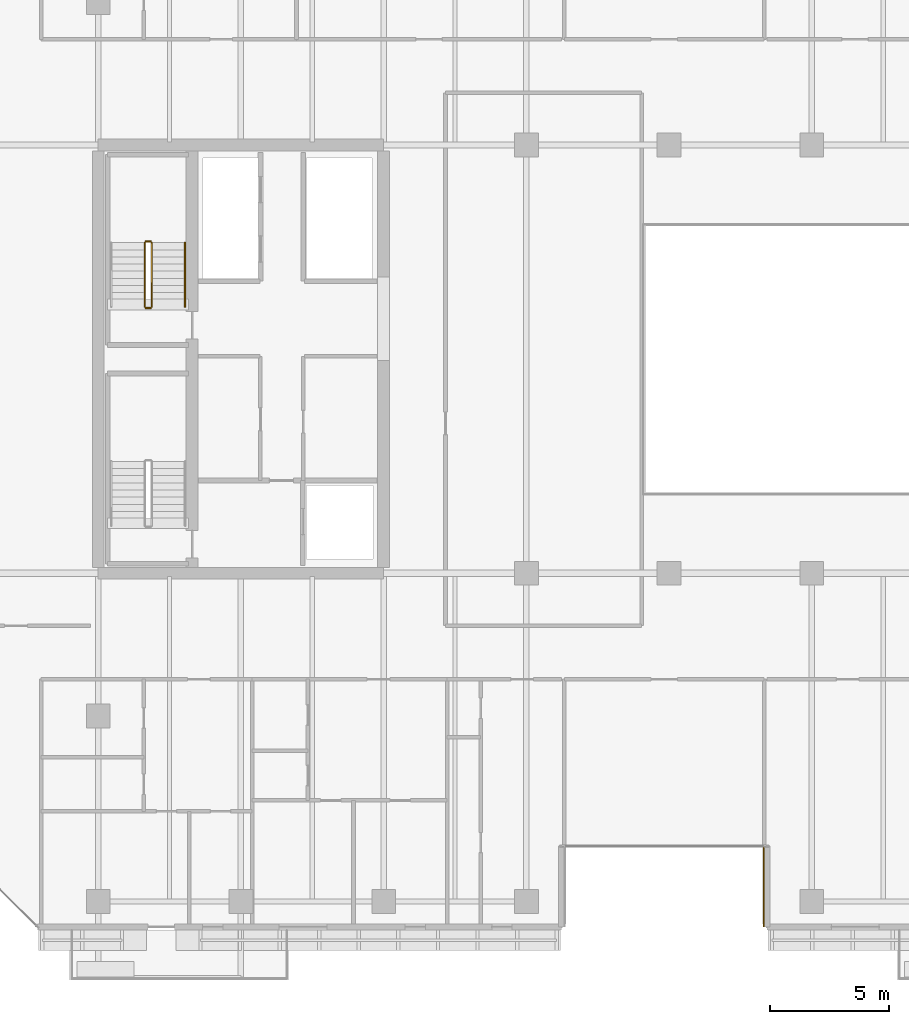
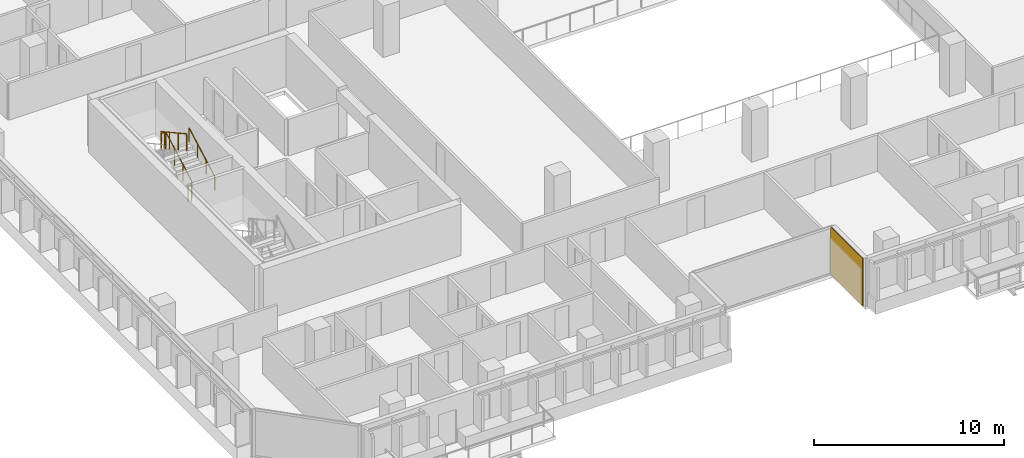
# One storey, part 32 of 35: 5 railings, 1 covering.
"""IFC4 building model written with IfcOpenShell, lengths in metres."""

from ifc_helpers import new_model, si_unit, direction, frame, origin, origin_2d, place, context, subcontext, project, spatial, rectangle, extrude, material, layer, layer_set, type_object, element, save


model = new_model("IFC4")

# Units and contexts
model_context = context("Model", 3, precision=1e-05, world=origin(), true_north=direction((0.0, 1.0)))
body_context = subcontext(model_context, "Body", "Model", "MODEL_VIEW")
ifc_project = project(units=[si_unit("LENGTHUNIT", "METRE"), si_unit("AREAUNIT", "SQUARE_METRE"), si_unit("VOLUMEUNIT", "CUBIC_METRE"), si_unit("PLANEANGLEUNIT", "RADIAN"), si_unit("MASSUNIT", "GRAM", prefix="KILO")], contexts=[model_context])

# Site, building, storey
site_placement = place(None, origin())
site = spatial("IfcSite", under=ifc_project, at=site_placement, CompositionType="ELEMENT")
building_placement = place(site_placement, origin())
building = spatial("IfcBuilding", under=site, at=building_placement, Name="Tanjung Sevakor Pilgrim Tower", CompositionType="ELEMENT")
storey_placement = place(building_placement, frame((0.0, 0.0, 92.070068359375)))
storey = spatial("IfcBuildingStorey", under=building, at=storey_placement, Name="L25", CompositionType="ELEMENT", Elevation=92.070068359375)

# Covering
ifc_material_1 = material(Name="Reconstructed Limestone Cladding", Category="masonry")
ifc_layer = layer(ifc_material_1, 0.044921875)
ifc_layer_set = layer_set([ifc_layer], Name="COV-CLAD-LIMESTONE")
covering_type = type_object("IfcCoveringType", Name="COV-CLAD-LIMESTONE", PredefinedType="CLADDING", material=ifc_layer_set)
covering_placement = place(storey_placement, frame((51.9775390625, 11.425048828125, 0.02001953125), z_axis=(0.0, 0.0, 1.0), x_axis=(0.0, -1.0, 0.0)))
element("IfcCovering", 1, at=covering_placement, inside=storey, type_object=covering_type, Name="L25 Warm Limestone Wall Cladding EW-L25-MAIN-4", PredefinedType="CLADDING", context=body_context, shape_type="SweptSolid", body=[
    extrude(rectangle(XDim=3.360107421875, YDim=0.044921875, at=origin_2d()), origin(), (0.0, 0.0, 1.0), 3.0400390625),
])

# Railings
ifc_material_2 = material(Name="Steel S355J2", Category="steel")
railing_type_1 = type_object("IfcRailingType", Name="RL-STAIR-GUARD", PredefinedType="GUARDRAIL", material=ifc_material_2)
railing_1_placement = place(storey_placement, frame((26.25, 35.800048828125, 0.1650390625)))
element("IfcRailing", 2, at=railing_1_placement, inside=storey, type_object=railing_type_1, Name="L25 TS-W2 stair guard 1", PredefinedType="GUARDRAIL", context=body_context, shape_type="SweptSolid", body=[
    extrude(rectangle(XDim=0.0479, YDim=0.0479), frame((0.0, 0.0, 1.076171875), z_axis=(0.0, 0.876230963923, 0.481891375584), x_axis=(-1.0, 0.0, 0.0)), (0.0, 0.0, 1.0), 3.081298828125),
    extrude(rectangle(XDim=0.042, YDim=0.042), origin(), (0.0, 0.0, 1.0), 1.052001953125),
    extrude(rectangle(XDim=0.042, YDim=0.042), frame((0.0, 0.89990234375, 0.494873046875)), (0.0, 0.0, 1.0), 1.052001953125),
    extrude(rectangle(XDim=0.042, YDim=0.042), frame((0.0, 1.800048828125, 0.989990234375)), (0.0, 0.0, 1.0), 1.052001953125),
    extrude(rectangle(XDim=0.042, YDim=0.042), frame((0.0, 2.699951171875, 1.48486328125)), (0.0, 0.0, 1.0), 1.052001953125),
])
railing_2_placement = place(storey_placement, frame((26.199951171875, 38.550048828125, 1.64990234375)))
element("IfcRailing", 3, at=railing_2_placement, inside=storey, type_object=railing_type_1, Name="L25 TS-W2 stair guard 2", PredefinedType="GUARDRAIL", context=body_context, shape_type="SweptSolid", body=[
    extrude(rectangle(XDim=0.0479, YDim=0.0479), frame((0.0, 0.0, 1.076171875), z_axis=(-1.0, 0.0, 0.0), x_axis=(0.0, -1.0, 0.0)), (0.0, 0.0, 1.0), 0.199951171875),
    extrude(rectangle(XDim=0.042, YDim=0.042), origin(), (0.0, 0.0, 1.0), 1.052001953125),
    extrude(rectangle(XDim=0.042, YDim=0.042), frame((-0.199951171875, 0.0, 0.0)), (0.0, 0.0, 1.0), 1.052001953125),
])
railing_3_placement = place(storey_placement, frame((25.949951171875, 38.5, 1.81494140625)))
element("IfcRailing", 4, at=railing_3_placement, inside=storey, type_object=railing_type_1, Name="L25 TS-W2 stair guard 3", PredefinedType="GUARDRAIL", context=body_context, shape_type="SweptSolid", body=[
    extrude(rectangle(XDim=0.0479, YDim=0.0479), frame((0.0, 0.0, 1.076171875), z_axis=(0.0, -0.876197507361, 0.481952205197), x_axis=(1.0, 0.0, 0.0)), (0.0, 0.0, 1.0), 3.08154296875),
    extrude(rectangle(XDim=0.042, YDim=0.042), origin(), (0.0, 0.0, 1.0), 1.052001953125),
    extrude(rectangle(XDim=0.042, YDim=0.042), frame((0.0, -0.89990234375, 0.4951171875)), (0.0, 0.0, 1.0), 1.052001953125),
    extrude(rectangle(XDim=0.042, YDim=0.042), frame((0.0, -1.800048828125, 0.989990234375)), (0.0, 0.0, 1.0), 1.052001953125),
    extrude(rectangle(XDim=0.042, YDim=0.042), frame((0.0, -2.699951171875, 1.485107421875)), (0.0, 0.0, 1.0), 1.052001953125),
])
railing_4_placement = place(storey_placement, frame((26.199951171875, 35.75, 0.0)))
element("IfcRailing", 5, at=railing_4_placement, inside=storey, type_object=railing_type_1, Name="L25 TS-W2 stair guard 4", PredefinedType="GUARDRAIL", context=body_context, shape_type="SweptSolid", body=[
    extrude(rectangle(XDim=0.0479, YDim=0.0479), frame((0.0, 0.0, 1.076171875), z_axis=(-1.0, 0.0, 0.0), x_axis=(0.0, -1.0, 0.0)), (0.0, 0.0, 1.0), 0.199951171875),
    extrude(rectangle(XDim=0.042, YDim=0.042), origin(), (0.0, 0.0, 1.0), 1.052001953125),
    extrude(rectangle(XDim=0.042, YDim=0.042), frame((-0.199951171875, 0.0, 0.0)), (0.0, 0.0, 1.0), 1.052001953125),
])
ifc_material_3 = material(Name="Steel S355J2", Category="steel")
railing_type_2 = type_object("IfcRailingType", Name="RL-STAIR-HAND", PredefinedType="HANDRAIL", material=ifc_material_3)
railing_5_placement = place(storey_placement, frame((27.64990234375, 35.800048828125, 0.1650390625)))
element("IfcRailing", 6, at=railing_5_placement, inside=storey, type_object=railing_type_2, Name="L25 TS-W2 stair handrail 1", PredefinedType="HANDRAIL", context=body_context, shape_type="SweptSolid", body=[
    extrude(rectangle(XDim=0.0479, YDim=0.0479), frame((0.0, 0.0, 0.8759765625), z_axis=(0.0, 0.876230963923, 0.481891375584), x_axis=(-1.0, 0.0, 0.0)), (0.0, 0.0, 1.0), 3.081298828125),
    extrude(rectangle(XDim=0.042, YDim=0.042), origin(), (0.0, 0.0, 1.0), 0.851806640625),
    extrude(rectangle(XDim=0.042, YDim=0.042), frame((0.0, 0.89990234375, 0.494873046875)), (0.0, 0.0, 1.0), 0.851806640625),
    extrude(rectangle(XDim=0.042, YDim=0.042), frame((0.0, 1.800048828125, 0.989990234375)), (0.0, 0.0, 1.0), 0.851806640625),
    extrude(rectangle(XDim=0.042, YDim=0.042), frame((0.0, 2.699951171875, 1.48486328125)), (0.0, 0.0, 1.0), 0.851806640625),
])

save(model, "model.ifc")
